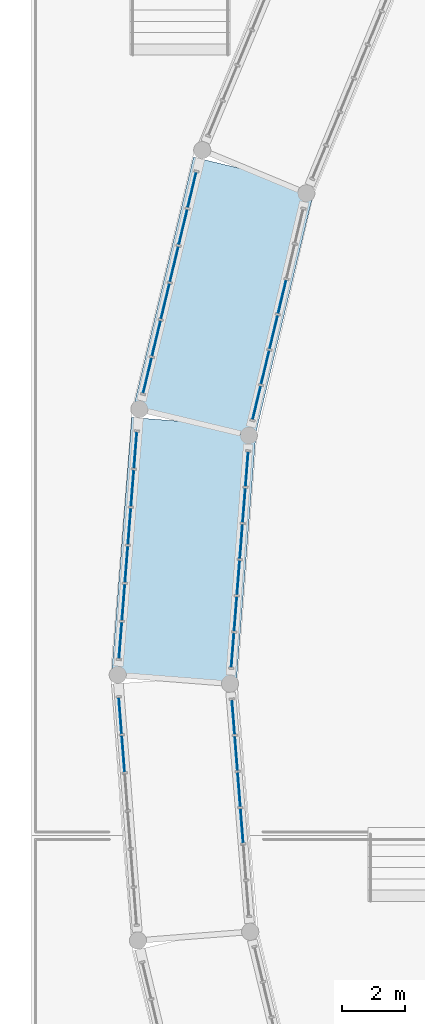
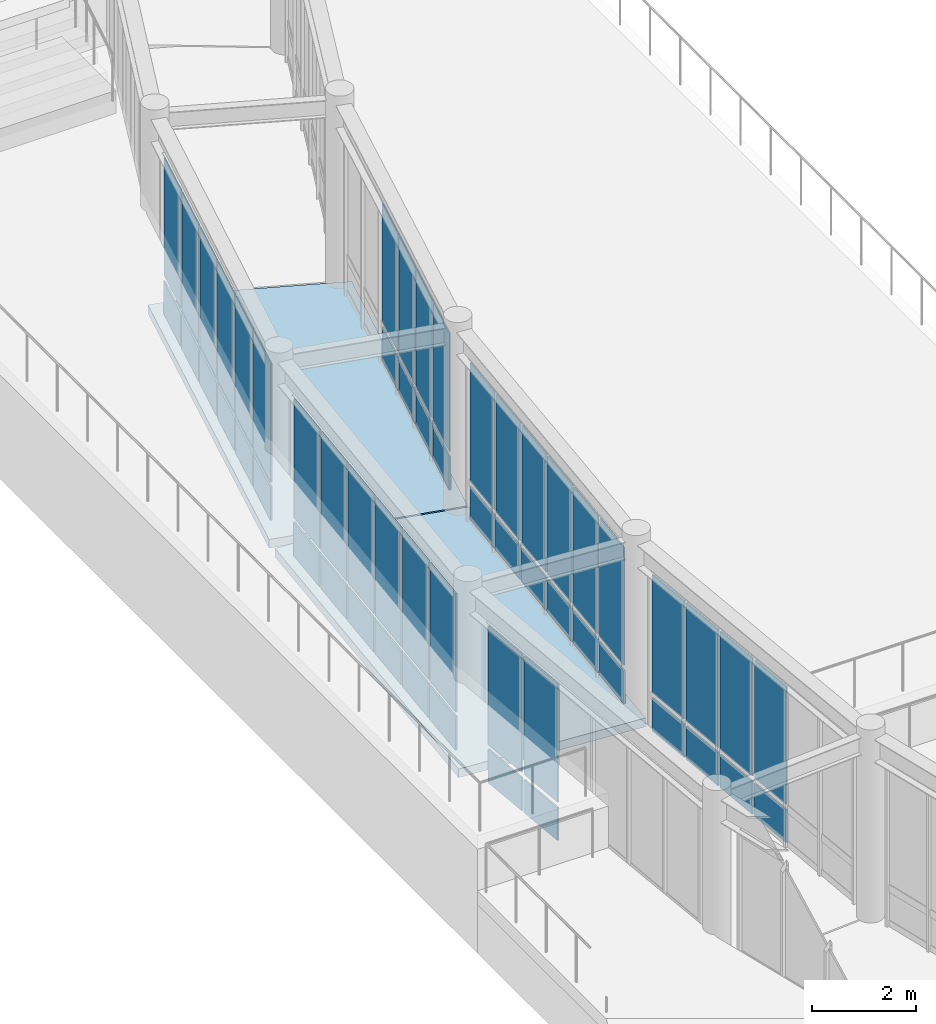
# One storey, part 42 of 94: 56 plates, 2 slabs, 6 elements without a shape of their own.
"""IFC4 building model written with IfcOpenShell, lengths in metres."""

from ifc_helpers import new_model, si_unit, direction, frame, origin, origin_2d, place, context, subcontext, project, spatial, polyline, rectangle, outline, extrude, material, layer, layer_set, type_object, element, aggregate, save


model = new_model("IFC4")

# Units and contexts
model_context = context("Model", 3, precision=1e-05, world=origin(), true_north=direction((0.0, 1.0)))
body_context = subcontext(model_context, "Body", "Model", "MODEL_VIEW")
ifc_project = project(units=[si_unit("LENGTHUNIT", "METRE"), si_unit("AREAUNIT", "SQUARE_METRE"), si_unit("VOLUMEUNIT", "CUBIC_METRE"), si_unit("PLANEANGLEUNIT", "RADIAN"), si_unit("MASSUNIT", "GRAM", prefix="KILO")], contexts=[model_context])

# Site, building, storey
site_placement = place(None, origin())
site = spatial("IfcSite", under=ifc_project, at=site_placement, CompositionType="ELEMENT")
building_placement = place(site_placement, origin())
building = spatial("IfcBuilding", under=site, at=building_placement, Name="Aldenvaro Health Centre", CompositionType="ELEMENT")
storey_placement = place(building_placement, origin())
storey = spatial("IfcBuildingStorey", under=building, at=storey_placement, Name="L00", CompositionType="ELEMENT", Elevation=0.0)

# Curtain wall, plates
ifc_material_1 = material(Name="Anodised Aluminium 6063-T6", Category="aluminium")
ifc_layer_1 = layer(ifc_material_1, 0.2099609375, Name="Anodised Aluminium 6063-T6", Category="aluminium")
ifc_layer_set_1 = layer_set([ifc_layer_1], Name="Anodised Aluminium 6063-T6")
curtain_wall_type = type_object("IfcCurtainWallType", Name="CW-BRG-03", PredefinedType="NOTDEFINED", material=ifc_layer_set_1)
curtain_wall_1_placement = place(storey_placement, origin())
curtain_wall_1 = element("IfcCurtainWall", 1, at=curtain_wall_1_placement, inside=storey, type_object=curtain_wall_type, Name="East Curved Garden Colonnade Arc 3 L00 glazed link wall L-1.1", PredefinedType="NOTDEFINED")
ifc_material_2 = material(Name="Low-E Double Glazing IGU", Category="glass")
ifc_layer_2 = layer(ifc_material_2, 0.028076171875, Name="Low-E Double Glazing IGU", Category="glass")
ifc_layer_set_2 = layer_set([ifc_layer_2], Name="Low-E Double Glazing IGU")
plate_type_1 = type_object("IfcPlateType", Name="CWP-IGU-28", PredefinedType="CURTAIN_PANEL", material=ifc_layer_set_2)
plate_1_placement = place(storey_placement, frame((147.4609375, 71.22509765625, 0.96044921875), z_axis=(0.0, 0.0, 1.0), x_axis=(-0.233541245949, -0.972346896144, 0.0)))
plate_1 = element("IfcPlate", 2, at=plate_1_placement, type_object=plate_type_1, Name="East Curved Garden Colonnade Arc 3 L00 glazed link wall L-1.1 vision glazing 3", PredefinedType="CURTAIN_PANEL", context=body_context, shape_type="SweptSolid", body=[
    extrude(rectangle(XDim=1.091064453125, YDim=0.028076171875, at=origin_2d()), origin(), (0.0, 0.0, 1.0), 2.784912109375),
])
plate_2_placement = place(storey_placement, frame((147.18994140625, 70.096923828125, 0.96044921875), z_axis=(0.0, 0.0, 1.0), x_axis=(-0.233541245949, -0.972346896144, 0.0)))
plate_2 = element("IfcPlate", 3, at=plate_2_placement, type_object=plate_type_1, Name="East Curved Garden Colonnade Arc 3 L00 glazed link wall L-1.1 vision glazing 4", PredefinedType="CURTAIN_PANEL", context=body_context, shape_type="SweptSolid", body=[
    extrude(rectangle(XDim=1.091064453125, YDim=0.028076171875, at=origin_2d()), origin(), (0.0, 0.0, 1.0), 2.784912109375),
])
plate_3_placement = place(storey_placement, frame((146.9189453125, 68.968017578125, 0.96044921875), z_axis=(0.0, 0.0, 1.0), x_axis=(-0.233541245949, -0.972346896144, 0.0)))
plate_3 = element("IfcPlate", 4, at=plate_3_placement, type_object=plate_type_1, Name="East Curved Garden Colonnade Arc 3 L00 glazed link wall L-1.1 vision glazing 5", PredefinedType="CURTAIN_PANEL", context=body_context, shape_type="SweptSolid", body=[
    extrude(rectangle(XDim=1.091064453125, YDim=0.028076171875, at=origin_2d()), origin(), (0.0, 0.0, 1.0), 2.784912109375),
])
plate_4_placement = place(storey_placement, frame((146.64794921875, 67.837890625, 0.96044921875), z_axis=(0.0, 0.0, 1.0), x_axis=(-0.233541245949, -0.972346896144, 0.0)))
plate_4 = element("IfcPlate", 5, at=plate_4_placement, type_object=plate_type_1, Name="East Curved Garden Colonnade Arc 3 L00 glazed link wall L-1.1 vision glazing 6", PredefinedType="CURTAIN_PANEL", context=body_context, shape_type="SweptSolid", body=[
    extrude(rectangle(XDim=1.091064453125, YDim=0.028076171875, at=origin_2d()), origin(), (0.0, 0.0, 1.0), 2.784912109375),
])

curtain_wall_2_placement = place(storey_placement, origin())
curtain_wall_2 = element("IfcCurtainWall", 6, at=curtain_wall_2_placement, inside=storey, type_object=curtain_wall_type, Name="East Curved Garden Colonnade Arc 3 L00 glazed link wall R-1.1", PredefinedType="NOTDEFINED")
plate_5_placement = place(storey_placement, frame((144.5791015625, 74.64208984375, 0.96044921875), z_axis=(0.0, 0.0, 1.0), x_axis=(-0.233625994255, -0.972326537131, 0.0)))
plate_5 = element("IfcPlate", 7, at=plate_5_placement, type_object=plate_type_1, Name="East Curved Garden Colonnade Arc 3 L00 glazed link wall R-1.1 vision glazing 1", PredefinedType="CURTAIN_PANEL", context=body_context, shape_type="SweptSolid", body=[
    extrude(rectangle(XDim=1.15087890625, YDim=0.028076171875, at=origin_2d()), origin(), (0.0, 0.0, 1.0), 2.784912109375),
])
plate_6_placement = place(storey_placement, frame((144.2939453125, 73.455078125, 0.96044921875), z_axis=(0.0, 0.0, 1.0), x_axis=(-0.233625994255, -0.972326537131, 0.0)))
plate_6 = element("IfcPlate", 8, at=plate_6_placement, type_object=plate_type_1, Name="East Curved Garden Colonnade Arc 3 L00 glazed link wall R-1.1 vision glazing 2", PredefinedType="CURTAIN_PANEL", context=body_context, shape_type="SweptSolid", body=[
    extrude(rectangle(XDim=1.15087890625, YDim=0.028076171875, at=origin_2d()), origin(), (0.0, 0.0, 1.0), 2.784912109375),
])
plate_7_placement = place(storey_placement, frame((144.009033203125, 72.26806640625, 0.96044921875), z_axis=(0.0, 0.0, 1.0), x_axis=(-0.233625994255, -0.972326537131, 0.0)))
plate_7 = element("IfcPlate", 9, at=plate_7_placement, type_object=plate_type_1, Name="East Curved Garden Colonnade Arc 3 L00 glazed link wall R-1.1 vision glazing 3", PredefinedType="CURTAIN_PANEL", context=body_context, shape_type="SweptSolid", body=[
    extrude(rectangle(XDim=1.15087890625, YDim=0.028076171875, at=origin_2d()), origin(), (0.0, 0.0, 1.0), 2.784912109375),
])
plate_8_placement = place(storey_placement, frame((143.72412109375, 71.0810546875, 0.96044921875), z_axis=(0.0, 0.0, 1.0), x_axis=(-0.233625994255, -0.972326537131, 0.0)))
plate_8 = element("IfcPlate", 10, at=plate_8_placement, type_object=plate_type_1, Name="East Curved Garden Colonnade Arc 3 L00 glazed link wall R-1.1 vision glazing 4", PredefinedType="CURTAIN_PANEL", context=body_context, shape_type="SweptSolid", body=[
    extrude(rectangle(XDim=1.15087890625, YDim=0.028076171875, at=origin_2d()), origin(), (0.0, 0.0, 1.0), 2.784912109375),
])
plate_9_placement = place(storey_placement, frame((143.43896484375, 69.89404296875, 0.96044921875), z_axis=(0.0, 0.0, 1.0), x_axis=(-0.233625994255, -0.972326537131, 0.0)))
plate_9 = element("IfcPlate", 11, at=plate_9_placement, type_object=plate_type_1, Name="East Curved Garden Colonnade Arc 3 L00 glazed link wall R-1.1 vision glazing 5", PredefinedType="CURTAIN_PANEL", context=body_context, shape_type="SweptSolid", body=[
    extrude(rectangle(XDim=1.15087890625, YDim=0.028076171875, at=origin_2d()), origin(), (0.0, 0.0, 1.0), 2.784912109375),
])
plate_10_placement = place(storey_placement, frame((143.154052734375, 68.70703125, 0.96044921875), z_axis=(0.0, 0.0, 1.0), x_axis=(-0.233625994255, -0.972326537131, 0.0)))
plate_10 = element("IfcPlate", 12, at=plate_10_placement, type_object=plate_type_1, Name="East Curved Garden Colonnade Arc 3 L00 glazed link wall R-1.1 vision glazing 6", PredefinedType="CURTAIN_PANEL", context=body_context, shape_type="SweptSolid", body=[
    extrude(rectangle(XDim=1.15087890625, YDim=0.028076171875, at=origin_2d()), origin(), (0.0, 0.0, 1.0), 2.784912109375),
])

curtain_wall_3_placement = place(storey_placement, origin())
curtain_wall_3 = element("IfcCurtainWall", 13, at=curtain_wall_3_placement, inside=storey, type_object=curtain_wall_type, Name="East Curved Garden Colonnade Arc 4 L00 glazed link wall L-1.1", PredefinedType="NOTDEFINED")
plate_11_placement = place(storey_placement, frame((146.333984375, 65.719970703125, 0.96044921875), z_axis=(0.0, 0.0, 1.0), x_axis=(-0.078496068737, -0.996914423204, 0.0)))
plate_11 = element("IfcPlate", 14, at=plate_11_placement, type_object=plate_type_1, Name="East Curved Garden Colonnade Arc 4 L00 glazed link wall L-1.1 vision glazing 1", PredefinedType="CURTAIN_PANEL", context=body_context, shape_type="SweptSolid", body=[
    extrude(rectangle(XDim=1.091064453125, YDim=0.028076171875, at=origin_2d()), origin(), (0.0, 0.0, 1.0), 2.784912109375),
])
plate_12_placement = place(storey_placement, frame((146.242919921875, 64.56201171875, 0.96044921875), z_axis=(0.0, 0.0, 1.0), x_axis=(-0.078496068737, -0.996914423204, 0.0)))
plate_12 = element("IfcPlate", 15, at=plate_12_placement, type_object=plate_type_1, Name="East Curved Garden Colonnade Arc 4 L00 glazed link wall L-1.1 vision glazing 2", PredefinedType="CURTAIN_PANEL", context=body_context, shape_type="SweptSolid", body=[
    extrude(rectangle(XDim=1.091064453125, YDim=0.028076171875, at=origin_2d()), origin(), (0.0, 0.0, 1.0), 2.784912109375),
])
plate_13_placement = place(storey_placement, frame((146.152099609375, 63.404052734375, 0.96044921875), z_axis=(0.0, 0.0, 1.0), x_axis=(-0.078496068737, -0.996914423204, 0.0)))
plate_13 = element("IfcPlate", 16, at=plate_13_placement, type_object=plate_type_1, Name="East Curved Garden Colonnade Arc 4 L00 glazed link wall L-1.1 vision glazing 3", PredefinedType="CURTAIN_PANEL", context=body_context, shape_type="SweptSolid", body=[
    extrude(rectangle(XDim=1.091064453125, YDim=0.028076171875, at=origin_2d()), origin(), (0.0, 0.0, 1.0), 2.784912109375),
])
plate_14_placement = place(storey_placement, frame((146.06103515625, 62.2470703125, 0.96044921875), z_axis=(0.0, 0.0, 1.0), x_axis=(-0.078496068737, -0.996914423204, 0.0)))
plate_14 = element("IfcPlate", 17, at=plate_14_placement, type_object=plate_type_1, Name="East Curved Garden Colonnade Arc 4 L00 glazed link wall L-1.1 vision glazing 4", PredefinedType="CURTAIN_PANEL", context=body_context, shape_type="SweptSolid", body=[
    extrude(rectangle(XDim=1.091064453125, YDim=0.028076171875, at=origin_2d()), origin(), (0.0, 0.0, 1.0), 2.784912109375),
])
plate_15_placement = place(storey_placement, frame((145.969970703125, 61.089111328125, 0.96044921875), z_axis=(0.0, 0.0, 1.0), x_axis=(-0.078496068737, -0.996914423204, 0.0)))
plate_15 = element("IfcPlate", 18, at=plate_15_placement, type_object=plate_type_1, Name="East Curved Garden Colonnade Arc 4 L00 glazed link wall L-1.1 vision glazing 5", PredefinedType="CURTAIN_PANEL", context=body_context, shape_type="SweptSolid", body=[
    extrude(rectangle(XDim=1.091064453125, YDim=0.028076171875, at=origin_2d()), origin(), (0.0, 0.0, 1.0), 2.784912109375),
])
plate_16_placement = place(storey_placement, frame((145.87890625, 59.930908203125, 0.96044921875), z_axis=(0.0, 0.0, 1.0), x_axis=(-0.078496068737, -0.996914423204, 0.0)))
plate_16 = element("IfcPlate", 19, at=plate_16_placement, type_object=plate_type_1, Name="East Curved Garden Colonnade Arc 4 L00 glazed link wall L-1.1 vision glazing 6", PredefinedType="CURTAIN_PANEL", context=body_context, shape_type="SweptSolid", body=[
    extrude(rectangle(XDim=1.091064453125, YDim=0.028076171875, at=origin_2d()), origin(), (0.0, 0.0, 1.0), 2.784912109375),
])

curtain_wall_4_placement = place(storey_placement, origin())
curtain_wall_4 = element("IfcCurtainWall", 20, at=curtain_wall_4_placement, inside=storey, type_object=curtain_wall_type, Name="East Curved Garden Colonnade Arc 4 L00 glazed link wall R-1.1", PredefinedType="NOTDEFINED")
plate_17_placement = place(storey_placement, frame((142.77099609375, 66.326904296875, 0.96044921875), z_axis=(0.0, 0.0, 1.0), x_axis=(-0.078513219666, -0.996913072608, 0.0)))
plate_17 = element("IfcPlate", 21, at=plate_17_placement, type_object=plate_type_1, Name="East Curved Garden Colonnade Arc 4 L00 glazed link wall R-1.1 vision glazing 1", PredefinedType="CURTAIN_PANEL", context=body_context, shape_type="SweptSolid", body=[
    extrude(rectangle(XDim=1.15087890625, YDim=0.028076171875, at=origin_2d()), origin(), (0.0, 0.0, 1.0), 2.784912109375),
])
plate_18_placement = place(storey_placement, frame((142.675048828125, 65.110107421875, 0.96044921875), z_axis=(0.0, 0.0, 1.0), x_axis=(-0.078513219666, -0.996913072608, 0.0)))
plate_18 = element("IfcPlate", 22, at=plate_18_placement, type_object=plate_type_1, Name="East Curved Garden Colonnade Arc 4 L00 glazed link wall R-1.1 vision glazing 2", PredefinedType="CURTAIN_PANEL", context=body_context, shape_type="SweptSolid", body=[
    extrude(rectangle(XDim=1.15087890625, YDim=0.028076171875, at=origin_2d()), origin(), (0.0, 0.0, 1.0), 2.784912109375),
])
plate_19_placement = place(storey_placement, frame((142.5791015625, 63.89306640625, 0.96044921875), z_axis=(0.0, 0.0, 1.0), x_axis=(-0.078513219666, -0.996913072608, 0.0)))
plate_19 = element("IfcPlate", 23, at=plate_19_placement, type_object=plate_type_1, Name="East Curved Garden Colonnade Arc 4 L00 glazed link wall R-1.1 vision glazing 3", PredefinedType="CURTAIN_PANEL", context=body_context, shape_type="SweptSolid", body=[
    extrude(rectangle(XDim=1.15087890625, YDim=0.028076171875, at=origin_2d()), origin(), (0.0, 0.0, 1.0), 2.784912109375),
])
plate_20_placement = place(storey_placement, frame((142.48388671875, 62.676025390625, 0.96044921875), z_axis=(0.0, 0.0, 1.0), x_axis=(-0.078513219666, -0.996913072608, 0.0)))
plate_20 = element("IfcPlate", 24, at=plate_20_placement, type_object=plate_type_1, Name="East Curved Garden Colonnade Arc 4 L00 glazed link wall R-1.1 vision glazing 4", PredefinedType="CURTAIN_PANEL", context=body_context, shape_type="SweptSolid", body=[
    extrude(rectangle(XDim=1.15087890625, YDim=0.028076171875, at=origin_2d()), origin(), (0.0, 0.0, 1.0), 2.784912109375),
])
plate_21_placement = place(storey_placement, frame((142.387939453125, 61.458984375, 0.96044921875), z_axis=(0.0, 0.0, 1.0), x_axis=(-0.078513219666, -0.996913072608, 0.0)))
plate_21 = element("IfcPlate", 25, at=plate_21_placement, type_object=plate_type_1, Name="East Curved Garden Colonnade Arc 4 L00 glazed link wall R-1.1 vision glazing 5", PredefinedType="CURTAIN_PANEL", context=body_context, shape_type="SweptSolid", body=[
    extrude(rectangle(XDim=1.15087890625, YDim=0.028076171875, at=origin_2d()), origin(), (0.0, 0.0, 1.0), 2.784912109375),
])
plate_22_placement = place(storey_placement, frame((142.2919921875, 60.241943359375, 0.96044921875), z_axis=(0.0, 0.0, 1.0), x_axis=(-0.078513219666, -0.996913072608, 0.0)))
plate_22 = element("IfcPlate", 26, at=plate_22_placement, type_object=plate_type_1, Name="East Curved Garden Colonnade Arc 4 L00 glazed link wall R-1.1 vision glazing 6", PredefinedType="CURTAIN_PANEL", context=body_context, shape_type="SweptSolid", body=[
    extrude(rectangle(XDim=1.15087890625, YDim=0.028076171875, at=origin_2d()), origin(), (0.0, 0.0, 1.0), 2.784912109375),
])

curtain_wall_5_placement = place(storey_placement, origin())
curtain_wall_5 = element("IfcCurtainWall", 27, at=curtain_wall_5_placement, inside=storey, type_object=curtain_wall_type, Name="East Curved Garden Colonnade Arc 5 L00 glazed link wall L-1.1", PredefinedType="NOTDEFINED")
plate_23_placement = place(storey_placement, frame((145.90087890625, 57.7890625, 0.96044921875), z_axis=(0.0, 0.0, 1.0), x_axis=(0.078496068737, -0.996914423204, 0.0)))
plate_23 = element("IfcPlate", 28, at=plate_23_placement, type_object=plate_type_1, Name="East Curved Garden Colonnade Arc 5 L00 glazed link wall L-1.1 vision glazing 1", PredefinedType="CURTAIN_PANEL", context=body_context, shape_type="SweptSolid", body=[
    extrude(rectangle(XDim=1.091064453125, YDim=0.028076171875, at=origin_2d()), origin(), (0.0, 0.0, 1.0), 2.784912109375),
])
plate_24_placement = place(storey_placement, frame((145.991943359375, 56.631103515625, 0.96044921875), z_axis=(0.0, 0.0, 1.0), x_axis=(0.078496068737, -0.996914423204, 0.0)))
plate_24 = element("IfcPlate", 29, at=plate_24_placement, type_object=plate_type_1, Name="East Curved Garden Colonnade Arc 5 L00 glazed link wall L-1.1 vision glazing 2", PredefinedType="CURTAIN_PANEL", context=body_context, shape_type="SweptSolid", body=[
    extrude(rectangle(XDim=1.091064453125, YDim=0.028076171875, at=origin_2d()), origin(), (0.0, 0.0, 1.0), 2.784912109375),
])
plate_25_placement = place(storey_placement, frame((146.0830078125, 55.472900390625, 0.96044921875), z_axis=(0.0, 0.0, 1.0), x_axis=(0.078496068737, -0.996914423204, 0.0)))
plate_25 = element("IfcPlate", 30, at=plate_25_placement, type_object=plate_type_1, Name="East Curved Garden Colonnade Arc 5 L00 glazed link wall L-1.1 vision glazing 3", PredefinedType="CURTAIN_PANEL", context=body_context, shape_type="SweptSolid", body=[
    extrude(rectangle(XDim=1.091064453125, YDim=0.028076171875, at=origin_2d()), origin(), (0.0, 0.0, 1.0), 2.784912109375),
])
plate_26_placement = place(storey_placement, frame((146.174072265625, 54.31591796875, 0.96044921875), z_axis=(0.0, 0.0, 1.0), x_axis=(0.078496068737, -0.996914423204, 0.0)))
plate_26 = element("IfcPlate", 31, at=plate_26_placement, type_object=plate_type_1, Name="East Curved Garden Colonnade Arc 5 L00 glazed link wall L-1.1 vision glazing 4", PredefinedType="CURTAIN_PANEL", context=body_context, shape_type="SweptSolid", body=[
    extrude(rectangle(XDim=1.091064453125, YDim=0.028076171875, at=origin_2d()), origin(), (0.0, 0.0, 1.0), 2.784912109375),
])

curtain_wall_6_placement = place(storey_placement, origin())
curtain_wall_6 = element("IfcCurtainWall", 32, at=curtain_wall_6_placement, inside=storey, type_object=curtain_wall_type, Name="East Curved Garden Colonnade Arc 5 L00 glazed link wall R-1.1", PredefinedType="NOTDEFINED")
plate_27_placement = place(storey_placement, frame((142.285888671875, 57.83203125, 0.96044921875), z_axis=(0.0, 0.0, 1.0), x_axis=(0.078513219666, -0.996913072608, 0.0)))
plate_27 = element("IfcPlate", 33, at=plate_27_placement, type_object=plate_type_1, Name="East Curved Garden Colonnade Arc 5 L00 glazed link wall R-1.1 vision glazing 1", PredefinedType="CURTAIN_PANEL", context=body_context, shape_type="SweptSolid", body=[
    extrude(rectangle(XDim=1.15087890625, YDim=0.028076171875, at=origin_2d()), origin(), (0.0, 0.0, 1.0), 2.784912109375),
])
plate_28_placement = place(storey_placement, frame((142.382080078125, 56.614990234375, 0.96044921875), z_axis=(0.0, 0.0, 1.0), x_axis=(0.078513219666, -0.996913072608, 0.0)))
plate_28 = element("IfcPlate", 34, at=plate_28_placement, type_object=plate_type_1, Name="East Curved Garden Colonnade Arc 5 L00 glazed link wall R-1.1 vision glazing 2", PredefinedType="CURTAIN_PANEL", context=body_context, shape_type="SweptSolid", body=[
    extrude(rectangle(XDim=1.15087890625, YDim=0.028076171875, at=origin_2d()), origin(), (0.0, 0.0, 1.0), 2.784912109375),
])

# Plate
ifc_material_3 = material(Name="Insulated Aluminium Spandrel", Category="aluminium")
ifc_layer_3 = layer(ifc_material_3, 0.035888671875, Name="Insulated Aluminium Spandrel", Category="aluminium")
ifc_layer_set_3 = layer_set([ifc_layer_3], Name="Insulated Aluminium Spandrel")
plate_type_2 = type_object("IfcPlateType", Name="CWP-SPN-36", PredefinedType="CURTAIN_PANEL", material=ifc_layer_set_3)
plate_29_placement = place(storey_placement, frame((147.4609375, 71.22509765625, 0.06005859375), z_axis=(0.0, 0.0, 1.0), x_axis=(-0.233541245949, -0.972346896144, 0.0)))
plate_29 = element("IfcPlate", 35, at=plate_29_placement, type_object=plate_type_2, Name="East Curved Garden Colonnade Arc 3 L00 glazed link wall L-1.1 spandrel panel 3", PredefinedType="CURTAIN_PANEL", context=body_context, shape_type="SweptSolid", body=[
    extrude(rectangle(XDim=1.091064453125, YDim=0.035888671875, at=origin_2d()), origin(), (0.0, 0.0, 1.0), 0.780029296875),
])

plate_30_placement = place(storey_placement, frame((147.18994140625, 70.096923828125, 0.06005859375), z_axis=(0.0, 0.0, 1.0), x_axis=(-0.233541245949, -0.972346896144, 0.0)))
plate_30 = element("IfcPlate", 36, at=plate_30_placement, type_object=plate_type_2, Name="East Curved Garden Colonnade Arc 3 L00 glazed link wall L-1.1 spandrel panel 4", PredefinedType="CURTAIN_PANEL", context=body_context, shape_type="SweptSolid", body=[
    extrude(rectangle(XDim=1.091064453125, YDim=0.035888671875, at=origin_2d()), origin(), (0.0, 0.0, 1.0), 0.780029296875),
])

plate_31_placement = place(storey_placement, frame((146.9189453125, 68.968017578125, 0.06005859375), z_axis=(0.0, 0.0, 1.0), x_axis=(-0.233541245949, -0.972346896144, 0.0)))
plate_31 = element("IfcPlate", 37, at=plate_31_placement, type_object=plate_type_2, Name="East Curved Garden Colonnade Arc 3 L00 glazed link wall L-1.1 spandrel panel 5", PredefinedType="CURTAIN_PANEL", context=body_context, shape_type="SweptSolid", body=[
    extrude(rectangle(XDim=1.091064453125, YDim=0.035888671875, at=origin_2d()), origin(), (0.0, 0.0, 1.0), 0.780029296875),
])

plate_32_placement = place(storey_placement, frame((146.64794921875, 67.837890625, 0.06005859375), z_axis=(0.0, 0.0, 1.0), x_axis=(-0.233541245949, -0.972346896144, 0.0)))
plate_32 = element("IfcPlate", 38, at=plate_32_placement, type_object=plate_type_2, Name="East Curved Garden Colonnade Arc 3 L00 glazed link wall L-1.1 spandrel panel 6", PredefinedType="CURTAIN_PANEL", context=body_context, shape_type="SweptSolid", body=[
    extrude(rectangle(XDim=1.091064453125, YDim=0.035888671875, at=origin_2d()), origin(), (0.0, 0.0, 1.0), 0.780029296875),
])

aggregate(curtain_wall_1, [plate_29, plate_1, plate_30, plate_2, plate_31, plate_3, plate_32, plate_4])

plate_33_placement = place(storey_placement, frame((144.5791015625, 74.64208984375, 0.06005859375), z_axis=(0.0, 0.0, 1.0), x_axis=(-0.233625994255, -0.972326537131, 0.0)))
plate_33 = element("IfcPlate", 39, at=plate_33_placement, type_object=plate_type_2, Name="East Curved Garden Colonnade Arc 3 L00 glazed link wall R-1.1 spandrel panel 1", PredefinedType="CURTAIN_PANEL", context=body_context, shape_type="SweptSolid", body=[
    extrude(rectangle(XDim=1.15087890625, YDim=0.035888671875, at=origin_2d()), origin(), (0.0, 0.0, 1.0), 0.780029296875),
])

plate_34_placement = place(storey_placement, frame((144.2939453125, 73.455078125, 0.06005859375), z_axis=(0.0, 0.0, 1.0), x_axis=(-0.233625994255, -0.972326537131, 0.0)))
plate_34 = element("IfcPlate", 40, at=plate_34_placement, type_object=plate_type_2, Name="East Curved Garden Colonnade Arc 3 L00 glazed link wall R-1.1 spandrel panel 2", PredefinedType="CURTAIN_PANEL", context=body_context, shape_type="SweptSolid", body=[
    extrude(rectangle(XDim=1.15087890625, YDim=0.035888671875, at=origin_2d()), origin(), (0.0, 0.0, 1.0), 0.780029296875),
])

plate_35_placement = place(storey_placement, frame((144.009033203125, 72.26806640625, 0.06005859375), z_axis=(0.0, 0.0, 1.0), x_axis=(-0.233625994255, -0.972326537131, 0.0)))
plate_35 = element("IfcPlate", 41, at=plate_35_placement, type_object=plate_type_2, Name="East Curved Garden Colonnade Arc 3 L00 glazed link wall R-1.1 spandrel panel 3", PredefinedType="CURTAIN_PANEL", context=body_context, shape_type="SweptSolid", body=[
    extrude(rectangle(XDim=1.15087890625, YDim=0.035888671875, at=origin_2d()), origin(), (0.0, 0.0, 1.0), 0.780029296875),
])

plate_36_placement = place(storey_placement, frame((143.72412109375, 71.0810546875, 0.06005859375), z_axis=(0.0, 0.0, 1.0), x_axis=(-0.233625994255, -0.972326537131, 0.0)))
plate_36 = element("IfcPlate", 42, at=plate_36_placement, type_object=plate_type_2, Name="East Curved Garden Colonnade Arc 3 L00 glazed link wall R-1.1 spandrel panel 4", PredefinedType="CURTAIN_PANEL", context=body_context, shape_type="SweptSolid", body=[
    extrude(rectangle(XDim=1.15087890625, YDim=0.035888671875, at=origin_2d()), origin(), (0.0, 0.0, 1.0), 0.780029296875),
])

plate_37_placement = place(storey_placement, frame((143.43896484375, 69.89404296875, 0.06005859375), z_axis=(0.0, 0.0, 1.0), x_axis=(-0.233625994255, -0.972326537131, 0.0)))
plate_37 = element("IfcPlate", 43, at=plate_37_placement, type_object=plate_type_2, Name="East Curved Garden Colonnade Arc 3 L00 glazed link wall R-1.1 spandrel panel 5", PredefinedType="CURTAIN_PANEL", context=body_context, shape_type="SweptSolid", body=[
    extrude(rectangle(XDim=1.15087890625, YDim=0.035888671875, at=origin_2d()), origin(), (0.0, 0.0, 1.0), 0.780029296875),
])

plate_38_placement = place(storey_placement, frame((143.154052734375, 68.70703125, 0.06005859375), z_axis=(0.0, 0.0, 1.0), x_axis=(-0.233625994255, -0.972326537131, 0.0)))
plate_38 = element("IfcPlate", 44, at=plate_38_placement, type_object=plate_type_2, Name="East Curved Garden Colonnade Arc 3 L00 glazed link wall R-1.1 spandrel panel 6", PredefinedType="CURTAIN_PANEL", context=body_context, shape_type="SweptSolid", body=[
    extrude(rectangle(XDim=1.15087890625, YDim=0.035888671875, at=origin_2d()), origin(), (0.0, 0.0, 1.0), 0.780029296875),
])

aggregate(curtain_wall_2, [plate_33, plate_5, plate_34, plate_6, plate_35, plate_7, plate_36, plate_8, plate_37, plate_9, plate_38, plate_10])

plate_39_placement = place(storey_placement, frame((146.333984375, 65.719970703125, 0.06005859375), z_axis=(0.0, 0.0, 1.0), x_axis=(-0.078496068737, -0.996914423204, 0.0)))
plate_39 = element("IfcPlate", 45, at=plate_39_placement, type_object=plate_type_2, Name="East Curved Garden Colonnade Arc 4 L00 glazed link wall L-1.1 spandrel panel 1", PredefinedType="CURTAIN_PANEL", context=body_context, shape_type="SweptSolid", body=[
    extrude(rectangle(XDim=1.091064453125, YDim=0.035888671875, at=origin_2d()), origin(), (0.0, 0.0, 1.0), 0.780029296875),
])

plate_40_placement = place(storey_placement, frame((146.242919921875, 64.56201171875, 0.06005859375), z_axis=(0.0, 0.0, 1.0), x_axis=(-0.078496068737, -0.996914423204, 0.0)))
plate_40 = element("IfcPlate", 46, at=plate_40_placement, type_object=plate_type_2, Name="East Curved Garden Colonnade Arc 4 L00 glazed link wall L-1.1 spandrel panel 2", PredefinedType="CURTAIN_PANEL", context=body_context, shape_type="SweptSolid", body=[
    extrude(rectangle(XDim=1.091064453125, YDim=0.035888671875, at=origin_2d()), origin(), (0.0, 0.0, 1.0), 0.780029296875),
])

plate_41_placement = place(storey_placement, frame((146.152099609375, 63.404052734375, 0.06005859375), z_axis=(0.0, 0.0, 1.0), x_axis=(-0.078496068737, -0.996914423204, 0.0)))
plate_41 = element("IfcPlate", 47, at=plate_41_placement, type_object=plate_type_2, Name="East Curved Garden Colonnade Arc 4 L00 glazed link wall L-1.1 spandrel panel 3", PredefinedType="CURTAIN_PANEL", context=body_context, shape_type="SweptSolid", body=[
    extrude(rectangle(XDim=1.091064453125, YDim=0.035888671875, at=origin_2d()), origin(), (0.0, 0.0, 1.0), 0.780029296875),
])

plate_42_placement = place(storey_placement, frame((146.06103515625, 62.2470703125, 0.06005859375), z_axis=(0.0, 0.0, 1.0), x_axis=(-0.078496068737, -0.996914423204, 0.0)))
plate_42 = element("IfcPlate", 48, at=plate_42_placement, type_object=plate_type_2, Name="East Curved Garden Colonnade Arc 4 L00 glazed link wall L-1.1 spandrel panel 4", PredefinedType="CURTAIN_PANEL", context=body_context, shape_type="SweptSolid", body=[
    extrude(rectangle(XDim=1.091064453125, YDim=0.035888671875, at=origin_2d()), origin(), (0.0, 0.0, 1.0), 0.780029296875),
])

plate_43_placement = place(storey_placement, frame((145.969970703125, 61.089111328125, 0.06005859375), z_axis=(0.0, 0.0, 1.0), x_axis=(-0.078496068737, -0.996914423204, 0.0)))
plate_43 = element("IfcPlate", 49, at=plate_43_placement, type_object=plate_type_2, Name="East Curved Garden Colonnade Arc 4 L00 glazed link wall L-1.1 spandrel panel 5", PredefinedType="CURTAIN_PANEL", context=body_context, shape_type="SweptSolid", body=[
    extrude(rectangle(XDim=1.091064453125, YDim=0.035888671875, at=origin_2d()), origin(), (0.0, 0.0, 1.0), 0.780029296875),
])

plate_44_placement = place(storey_placement, frame((145.87890625, 59.930908203125, 0.06005859375), z_axis=(0.0, 0.0, 1.0), x_axis=(-0.078496068737, -0.996914423204, 0.0)))
plate_44 = element("IfcPlate", 50, at=plate_44_placement, type_object=plate_type_2, Name="East Curved Garden Colonnade Arc 4 L00 glazed link wall L-1.1 spandrel panel 6", PredefinedType="CURTAIN_PANEL", context=body_context, shape_type="SweptSolid", body=[
    extrude(rectangle(XDim=1.091064453125, YDim=0.035888671875, at=origin_2d()), origin(), (0.0, 0.0, 1.0), 0.780029296875),
])

aggregate(curtain_wall_3, [plate_39, plate_11, plate_40, plate_12, plate_41, plate_13, plate_42, plate_14, plate_43, plate_15, plate_44, plate_16])

plate_45_placement = place(storey_placement, frame((142.77099609375, 66.326904296875, 0.06005859375), z_axis=(0.0, 0.0, 1.0), x_axis=(-0.078513219666, -0.996913072608, 0.0)))
plate_45 = element("IfcPlate", 51, at=plate_45_placement, type_object=plate_type_2, Name="East Curved Garden Colonnade Arc 4 L00 glazed link wall R-1.1 spandrel panel 1", PredefinedType="CURTAIN_PANEL", context=body_context, shape_type="SweptSolid", body=[
    extrude(rectangle(XDim=1.15087890625, YDim=0.035888671875, at=origin_2d()), origin(), (0.0, 0.0, 1.0), 0.780029296875),
])

plate_46_placement = place(storey_placement, frame((142.675048828125, 65.110107421875, 0.06005859375), z_axis=(0.0, 0.0, 1.0), x_axis=(-0.078513219666, -0.996913072608, 0.0)))
plate_46 = element("IfcPlate", 52, at=plate_46_placement, type_object=plate_type_2, Name="East Curved Garden Colonnade Arc 4 L00 glazed link wall R-1.1 spandrel panel 2", PredefinedType="CURTAIN_PANEL", context=body_context, shape_type="SweptSolid", body=[
    extrude(rectangle(XDim=1.15087890625, YDim=0.035888671875, at=origin_2d()), origin(), (0.0, 0.0, 1.0), 0.780029296875),
])

plate_47_placement = place(storey_placement, frame((142.5791015625, 63.89306640625, 0.06005859375), z_axis=(0.0, 0.0, 1.0), x_axis=(-0.078513219666, -0.996913072608, 0.0)))
plate_47 = element("IfcPlate", 53, at=plate_47_placement, type_object=plate_type_2, Name="East Curved Garden Colonnade Arc 4 L00 glazed link wall R-1.1 spandrel panel 3", PredefinedType="CURTAIN_PANEL", context=body_context, shape_type="SweptSolid", body=[
    extrude(rectangle(XDim=1.15087890625, YDim=0.035888671875, at=origin_2d()), origin(), (0.0, 0.0, 1.0), 0.780029296875),
])

plate_48_placement = place(storey_placement, frame((142.48388671875, 62.676025390625, 0.06005859375), z_axis=(0.0, 0.0, 1.0), x_axis=(-0.078513219666, -0.996913072608, 0.0)))
plate_48 = element("IfcPlate", 54, at=plate_48_placement, type_object=plate_type_2, Name="East Curved Garden Colonnade Arc 4 L00 glazed link wall R-1.1 spandrel panel 4", PredefinedType="CURTAIN_PANEL", context=body_context, shape_type="SweptSolid", body=[
    extrude(rectangle(XDim=1.15087890625, YDim=0.035888671875, at=origin_2d()), origin(), (0.0, 0.0, 1.0), 0.780029296875),
])

plate_49_placement = place(storey_placement, frame((142.387939453125, 61.458984375, 0.06005859375), z_axis=(0.0, 0.0, 1.0), x_axis=(-0.078513219666, -0.996913072608, 0.0)))
plate_49 = element("IfcPlate", 55, at=plate_49_placement, type_object=plate_type_2, Name="East Curved Garden Colonnade Arc 4 L00 glazed link wall R-1.1 spandrel panel 5", PredefinedType="CURTAIN_PANEL", context=body_context, shape_type="SweptSolid", body=[
    extrude(rectangle(XDim=1.15087890625, YDim=0.035888671875, at=origin_2d()), origin(), (0.0, 0.0, 1.0), 0.780029296875),
])

plate_50_placement = place(storey_placement, frame((142.2919921875, 60.241943359375, 0.06005859375), z_axis=(0.0, 0.0, 1.0), x_axis=(-0.078513219666, -0.996913072608, 0.0)))
plate_50 = element("IfcPlate", 56, at=plate_50_placement, type_object=plate_type_2, Name="East Curved Garden Colonnade Arc 4 L00 glazed link wall R-1.1 spandrel panel 6", PredefinedType="CURTAIN_PANEL", context=body_context, shape_type="SweptSolid", body=[
    extrude(rectangle(XDim=1.15087890625, YDim=0.035888671875, at=origin_2d()), origin(), (0.0, 0.0, 1.0), 0.780029296875),
])

aggregate(curtain_wall_4, [plate_45, plate_17, plate_46, plate_18, plate_47, plate_19, plate_48, plate_20, plate_49, plate_21, plate_50, plate_22])

plate_51_placement = place(storey_placement, frame((145.90087890625, 57.7890625, 0.06005859375), z_axis=(0.0, 0.0, 1.0), x_axis=(0.078496068737, -0.996914423204, 0.0)))
plate_51 = element("IfcPlate", 57, at=plate_51_placement, type_object=plate_type_2, Name="East Curved Garden Colonnade Arc 5 L00 glazed link wall L-1.1 spandrel panel 1", PredefinedType="CURTAIN_PANEL", context=body_context, shape_type="SweptSolid", body=[
    extrude(rectangle(XDim=1.091064453125, YDim=0.035888671875, at=origin_2d()), origin(), (0.0, 0.0, 1.0), 0.780029296875),
])

plate_52_placement = place(storey_placement, frame((145.991943359375, 56.631103515625, 0.06005859375), z_axis=(0.0, 0.0, 1.0), x_axis=(0.078496068737, -0.996914423204, 0.0)))
plate_52 = element("IfcPlate", 58, at=plate_52_placement, type_object=plate_type_2, Name="East Curved Garden Colonnade Arc 5 L00 glazed link wall L-1.1 spandrel panel 2", PredefinedType="CURTAIN_PANEL", context=body_context, shape_type="SweptSolid", body=[
    extrude(rectangle(XDim=1.091064453125, YDim=0.035888671875, at=origin_2d()), origin(), (0.0, 0.0, 1.0), 0.780029296875),
])

plate_53_placement = place(storey_placement, frame((146.0830078125, 55.472900390625, 0.06005859375), z_axis=(0.0, 0.0, 1.0), x_axis=(0.078496068737, -0.996914423204, 0.0)))
plate_53 = element("IfcPlate", 59, at=plate_53_placement, type_object=plate_type_2, Name="East Curved Garden Colonnade Arc 5 L00 glazed link wall L-1.1 spandrel panel 3", PredefinedType="CURTAIN_PANEL", context=body_context, shape_type="SweptSolid", body=[
    extrude(rectangle(XDim=1.091064453125, YDim=0.035888671875, at=origin_2d()), origin(), (0.0, 0.0, 1.0), 0.780029296875),
])

plate_54_placement = place(storey_placement, frame((146.174072265625, 54.31591796875, 0.06005859375), z_axis=(0.0, 0.0, 1.0), x_axis=(0.078496068737, -0.996914423204, 0.0)))
plate_54 = element("IfcPlate", 60, at=plate_54_placement, type_object=plate_type_2, Name="East Curved Garden Colonnade Arc 5 L00 glazed link wall L-1.1 spandrel panel 4", PredefinedType="CURTAIN_PANEL", context=body_context, shape_type="SweptSolid", body=[
    extrude(rectangle(XDim=1.091064453125, YDim=0.035888671875, at=origin_2d()), origin(), (0.0, 0.0, 1.0), 0.780029296875),
])

aggregate(curtain_wall_5, [plate_51, plate_23, plate_52, plate_24, plate_53, plate_25, plate_54, plate_26])

plate_55_placement = place(storey_placement, frame((142.285888671875, 57.83203125, 0.06005859375), z_axis=(0.0, 0.0, 1.0), x_axis=(0.078513219666, -0.996913072608, 0.0)))
plate_55 = element("IfcPlate", 61, at=plate_55_placement, type_object=plate_type_2, Name="East Curved Garden Colonnade Arc 5 L00 glazed link wall R-1.1 spandrel panel 1", PredefinedType="CURTAIN_PANEL", context=body_context, shape_type="SweptSolid", body=[
    extrude(rectangle(XDim=1.15087890625, YDim=0.035888671875, at=origin_2d()), origin(), (0.0, 0.0, 1.0), 0.780029296875),
])

plate_56_placement = place(storey_placement, frame((142.382080078125, 56.614990234375, 0.06005859375), z_axis=(0.0, 0.0, 1.0), x_axis=(0.078513219666, -0.996913072608, 0.0)))
plate_56 = element("IfcPlate", 62, at=plate_56_placement, type_object=plate_type_2, Name="East Curved Garden Colonnade Arc 5 L00 glazed link wall R-1.1 spandrel panel 2", PredefinedType="CURTAIN_PANEL", context=body_context, shape_type="SweptSolid", body=[
    extrude(rectangle(XDim=1.15087890625, YDim=0.035888671875, at=origin_2d()), origin(), (0.0, 0.0, 1.0), 0.780029296875),
])

aggregate(curtain_wall_6, [plate_55, plate_27, plate_56, plate_28])

# Slabs
ifc_material_4 = material(Name="Cross-laminated timber CLT E1", Category="wood")
ifc_layer_4 = layer(ifc_material_4, 0.205078125, Name="Cross-laminated timber CLT E1", Category="wood")
ifc_layer_set_4 = layer_set([ifc_layer_4], Name="Cross-laminated timber CLT E1")
slab_type = type_object("IfcSlabType", Name="SLB-CLT-205", PredefinedType="FLOOR", material=ifc_layer_set_4)
slab_1_placement = place(storey_placement, frame((0.0, 0.0, -0.205078125)))
element("IfcSlab", 63, at=slab_1_placement, inside=storey, type_object=slab_type, Name="East Curved Garden Colonnade Arc 3 L00 deck slab", PredefinedType="FLOOR", context=body_context, shape_type="SweptSolid", body=[
    extrude(outline(polyline([(146.591064453125, 66.74609375), (142.700927734375, 67.679931640625), (144.625, 75.68994140625), (146.321044921875, 75.282958984375), (148.430908203125, 74.408935546875), (146.591064453125, 66.74609375)])), origin(), (0.0, 0.0, 1.0), 0.205078125),
])
slab_2_placement = place(storey_placement, frame((0.0, 0.0, -0.205078125)))
element("IfcSlab", 64, at=slab_2_placement, inside=storey, type_object=slab_type, Name="East Curved Garden Colonnade Arc 4 L00 deck slab", PredefinedType="FLOOR", context=body_context, shape_type="SweptSolid", body=[
    extrude(outline(polyline([(145.993896484375, 58.843017578125), (142.006103515625, 59.156982421875), (142.652099609375, 67.3701171875), (144.39111328125, 67.23291015625), (146.612060546875, 66.699951171875), (145.993896484375, 58.843017578125)])), origin(), (0.0, 0.0, 1.0), 0.205078125),
])

save(model, "model.ifc")
